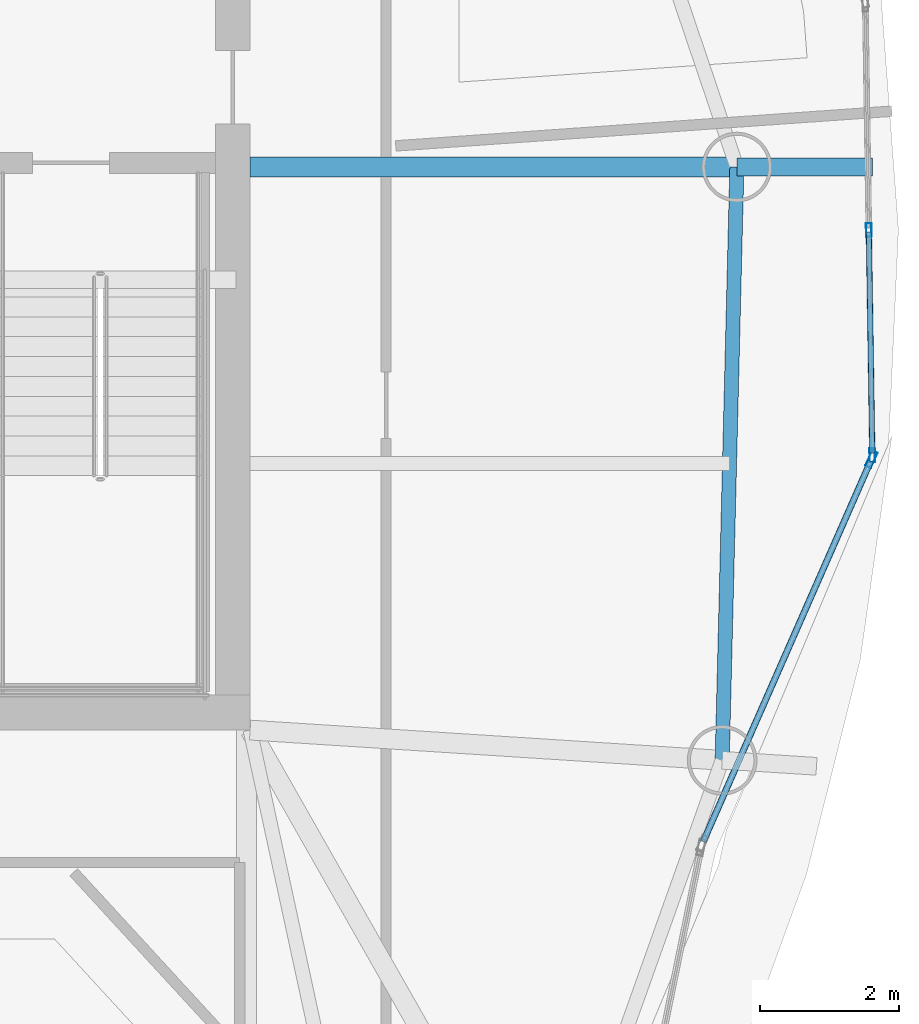
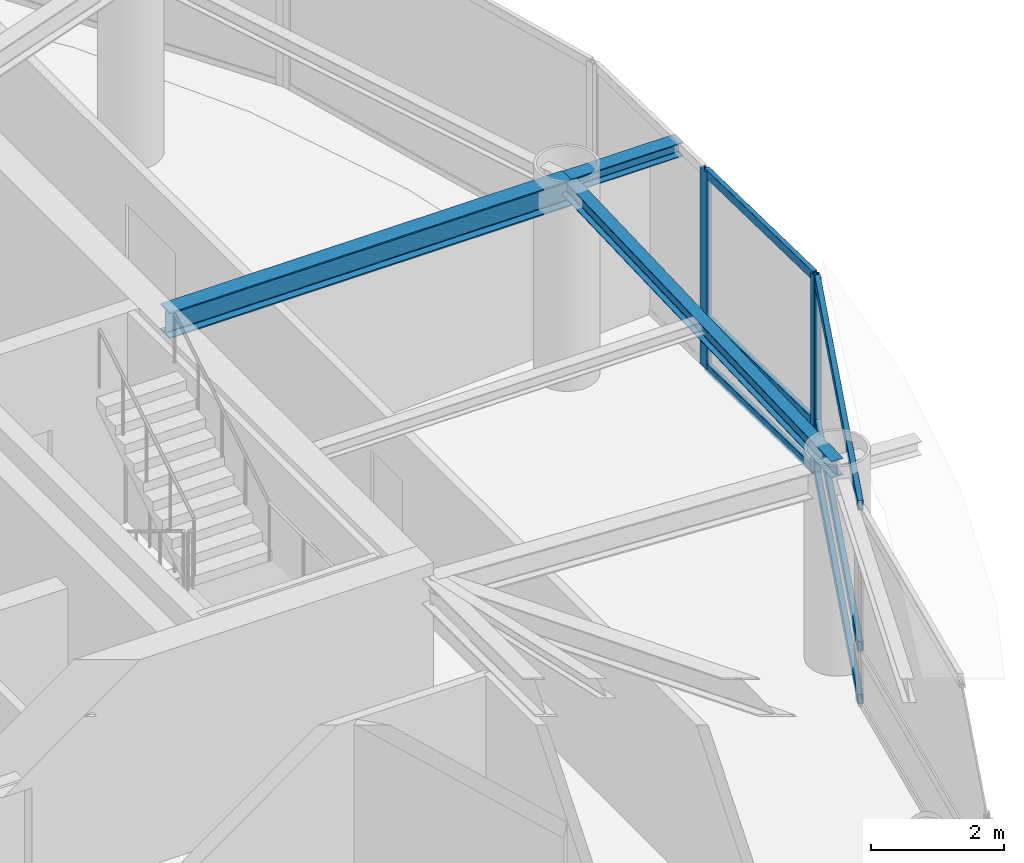
# One storey, part 8 of 19: 9 members, 3 beams, 2 elements without a shape of their own.
"""IFC4 building model written with IfcOpenShell, lengths in metres."""

from ifc_helpers import new_model, si_unit, direction, frame, origin, origin_2d, place, context, subcontext, project, spatial, hollow_rectangle, i_section, extrude, material, layer, layer_set, material_profile, profile_set, type_object, element, aggregate, save


model = new_model("IFC4")

# Units and contexts
model_context = context("Model", 3, precision=1e-05, world=origin(), true_north=direction((0.0, 1.0)))
body_context = subcontext(model_context, "Body", "Model", "MODEL_VIEW")
ifc_project = project(units=[si_unit("LENGTHUNIT", "METRE"), si_unit("AREAUNIT", "SQUARE_METRE"), si_unit("VOLUMEUNIT", "CUBIC_METRE"), si_unit("PLANEANGLEUNIT", "RADIAN"), si_unit("MASSUNIT", "GRAM", prefix="KILO")], contexts=[model_context])

# Site, building, storey
site_placement = place(None, origin())
site = spatial("IfcSite", under=ifc_project, at=site_placement, CompositionType="ELEMENT")
building_placement = place(site_placement, origin())
building = spatial("IfcBuilding", under=site, at=building_placement, Name="Bramvorn Convention Spire", CompositionType="ELEMENT")
storey_placement = place(building_placement, frame((0.0, 0.0, 299.800048828125)))
storey = spatial("IfcBuildingStorey", under=building, at=storey_placement, Name="L76", CompositionType="ELEMENT", Elevation=299.800048828125)

# Beams
ifc_material_1 = material(Name="Steel CSA G40.21 Grade 350 (350W)", Category="steel")
ifc_material_profile_1 = material_profile(ifc_material_1, i_section(OverallWidth=0.25390625, OverallDepth=0.2529296875, WebThickness=0.008544921875, FlangeThickness=0.01416015625, FilletRadius=0.011962890625, at=origin_2d()))
ifc_profile_set_1 = profile_set([ifc_material_profile_1], Name="Steel CSA G40.21 Grade 350 (350W) - W250X73")
beam_type_1 = type_object("IfcBeamType", Name="BM-W250X73", PredefinedType="BEAM", material=ifc_profile_set_1)
beam_1_placement = place(storey_placement, frame((56.234619140625, 26.62939453125, 3.49853515625), z_axis=(1.0, 0.0, 0.0), x_axis=(0.0, 1.0, 0.0)))
element("IfcBeam", 1, at=beam_1_placement, inside=storey, type_object=beam_type_1, Name="L76 slab-edge cantilever tip beam MC04", PredefinedType="BEAM", context=body_context, shape_type="SweptSolid", body=[
    extrude(i_section(OverallWidth=0.25390625, OverallDepth=0.2529296875, WebThickness=0.008544921875, FlangeThickness=0.01416015625, FilletRadius=0.011962890625, at=origin_2d()), origin(), (0.0, 0.0, 1.0), 1.945556640625),
])
ifc_material_profile_2 = material_profile(ifc_material_1, i_section(OverallWidth=0.202880859375, OverallDepth=0.302978515625, WebThickness=0.007568359375, FlangeThickness=0.01318359375, FilletRadius=0.013916015625, at=origin_2d()))
ifc_profile_set_2 = profile_set([ifc_material_profile_2], Name="Steel CSA G40.21 Grade 350 (350W) - W310X60")
beam_type_2 = type_object("IfcBeamType", Name="BM-W310X60", PredefinedType="JOIST", material=ifc_profile_set_2)
beam_2_placement = place(storey_placement, frame((56.023681640625, 18.116455078125, 3.473388671875), z_axis=(0.024770853371, 0.999693155335, 0.0), x_axis=(-0.999693155335, 0.024770853371, 0.0)))
element("IfcBeam", 2, at=beam_2_placement, inside=storey, type_object=beam_type_2, Name="L76 mega-column ring beam 03", PredefinedType="JOIST", context=body_context, shape_type="SweptSolid", body=[
    extrude(i_section(OverallWidth=0.202880859375, OverallDepth=0.302978515625, WebThickness=0.007568359375, FlangeThickness=0.01318359375, FilletRadius=0.013916015625, at=origin_2d()), origin(), (0.0, 0.0, 1.0), 8.515625),
])
ifc_material_profile_3 = material_profile(ifc_material_1, i_section(OverallWidth=0.283935546875, OverallDepth=0.47607421875, WebThickness=0.014892578125, FlangeThickness=0.02392578125, FilletRadius=0.01806640625, at=origin_2d()))
ifc_profile_set_3 = profile_set([ifc_material_profile_3], Name="Steel CSA G40.21 Grade 350 (350W) - W460X158")
beam_type_3 = type_object("IfcBeamType", Name="BM-W460X158", PredefinedType="SPANDREL", material=ifc_profile_set_3)
beam_3_placement = place(storey_placement, frame((49.25, 26.62939453125, 3.386962890625), z_axis=(1.0, 0.0, 0.0), x_axis=(0.0, 1.0, 0.0)))
element("IfcBeam", 3, at=beam_3_placement, inside=storey, type_object=beam_type_3, Name="L76 radial floor girder MC04", PredefinedType="SPANDREL", context=body_context, shape_type="SweptSolid", body=[
    extrude(i_section(OverallWidth=0.283935546875, OverallDepth=0.47607421875, WebThickness=0.014892578125, FlangeThickness=0.02392578125, FilletRadius=0.01806640625, at=origin_2d()), origin(), (0.0, 0.0, 1.0), 6.984619140625),
])

# Curtain wall, members
ifc_material_2 = material(Name="Anodised Bronze Unitised Curtain Wall", Category="aluminium")
ifc_layer_1 = layer(ifc_material_2, 0.179931640625)
ifc_layer_set_1 = layer_set([ifc_layer_1], Name="Anodised Bronze Unitised Curtain Wall - CW-OFF-FRIT")
curtain_wall_type_1 = type_object("IfcCurtainWallType", Name="CW-OFF-FRIT", PredefinedType="USERDEFINED", material=ifc_layer_set_1)
curtain_wall_1_placement = place(storey_placement, origin())
curtain_wall_1 = element("IfcCurtainWall", 4, at=curtain_wall_1_placement, inside=storey, type_object=curtain_wall_type_1, Name="L76 fritted glass curtain wall 05", ObjectType="UNITISED CURTAIN WALL", PredefinedType="USERDEFINED")
ifc_material_3 = material(Name="Anodised Bronze Aluminium 6063-T6", Category="aluminium")
ifc_material_profile_4 = material_profile(ifc_material_3, hollow_rectangle(XDim=0.080078125, YDim=0.199951171875, WallThickness=0.00390625, InnerFilletRadius=0.0009765625, OuterFilletRadius=0.00390625, at=origin_2d()))
ifc_profile_set_4 = profile_set([ifc_material_profile_4], Name="Anodised Bronze Aluminium 6063-T6 - CWM80X200")
member_type_1 = type_object("IfcMemberType", Name="CW-MUL-180", PredefinedType="MULLION", material=ifc_profile_set_4)
member_1_placement = place(storey_placement, frame((58.1279296875, 25.7255859375, 0.0), z_axis=(0.0, 0.0, 1.0), x_axis=(0.999878810724, 0.015568039844, 0.0)))
member_1 = element("IfcMember", 5, at=member_1_placement, type_object=member_type_1, Name="CW3 mullion 2", PredefinedType="MULLION", context=body_context, shape_type="SweptSolid", body=[
    extrude(hollow_rectangle(XDim=0.080078125, YDim=0.199951171875, WallThickness=0.00390625, InnerFilletRadius=0.0009765625, OuterFilletRadius=0.00390625, at=origin_2d()), origin(), (0.0, 0.0, 1.0), 3.625),
])
member_2_placement = place(storey_placement, frame((58.17822265625, 22.492919921875, 0.0), z_axis=(0.0, 0.0, 1.0), x_axis=(0.999878810724, 0.015568039844, 0.0)))
member_2 = element("IfcMember", 6, at=member_2_placement, type_object=member_type_1, Name="CW3 mullion 3", PredefinedType="MULLION", context=body_context, shape_type="SweptSolid", body=[
    extrude(hollow_rectangle(XDim=0.080078125, YDim=0.199951171875, WallThickness=0.00390625, InnerFilletRadius=0.0009765625, OuterFilletRadius=0.00390625, at=origin_2d()), origin(), (0.0, 0.0, 1.0), 3.625),
])

# Curtain wall, member
ifc_layer_2 = layer(ifc_material_2, 0.219970703125)
ifc_layer_set_2 = layer_set([ifc_layer_2], Name="Anodised Bronze Unitised Curtain Wall - CW-SKYGARDEN")
curtain_wall_type_2 = type_object("IfcCurtainWallType", Name="CW-SKYGARDEN", PredefinedType="USERDEFINED", material=ifc_layer_set_2)
curtain_wall_2_placement = place(storey_placement, origin())
curtain_wall_2 = element("IfcCurtainWall", 7, at=curtain_wall_2_placement, inside=storey, type_object=curtain_wall_type_2, Name="L76 Sky Garden glazed facade 04", ObjectType="WINTER GARDEN GLAZING", PredefinedType="USERDEFINED")
ifc_material_profile_5 = material_profile(ifc_material_3, hollow_rectangle(XDim=0.090087890625, YDim=0.239990234375, WallThickness=0.00439453125, InnerFilletRadius=0.0009765625, OuterFilletRadius=0.00439453125, at=origin_2d()))
ifc_profile_set_5 = profile_set([ifc_material_profile_5], Name="Anodised Bronze Aluminium 6063-T6 - CWM90X240")
member_type_2 = type_object("IfcMemberType", Name="CW-MUL-220", PredefinedType="MULLION", material=ifc_profile_set_5)
member_3_placement = place(storey_placement, frame((58.16650390625, 22.435546875, 0.0), z_axis=(0.0, 0.0, 1.0), x_axis=(0.915268486998, -0.402844382744, 0.0)))
member_3 = element("IfcMember", 8, at=member_3_placement, type_object=member_type_2, Name="CW4 mullion 1", PredefinedType="MULLION", context=body_context, shape_type="SweptSolid", body=[
    extrude(hollow_rectangle(XDim=0.090087890625, YDim=0.239990234375, WallThickness=0.00439453125, InnerFilletRadius=0.0009765625, OuterFilletRadius=0.00439453125, at=origin_2d()), origin(), (0.0, 0.0, 1.0), 3.625),
])

# Member
ifc_material_profile_6 = material_profile(ifc_material_3, hollow_rectangle(XDim=0.080078125, YDim=0.159912109375, WallThickness=0.00390625, InnerFilletRadius=0.0009765625, OuterFilletRadius=0.00390625, at=origin_2d()))
ifc_profile_set_6 = profile_set([ifc_material_profile_6], Name="Anodised Bronze Aluminium 6063-T6 - CWT80X160")
member_type_3 = type_object("IfcMemberType", Name="CW-TRN-150", PredefinedType="USERDEFINED", material=ifc_profile_set_6)
member_4_placement = place(storey_placement, frame((58.12841796875, 25.695556640625, 0.030029296875), z_axis=(0.015542562511, -0.99987920708, 0.0), x_axis=(0.99987920708, 0.015542562511, 0.0)))
member_4 = element("IfcMember", 9, at=member_4_placement, type_object=member_type_3, Name="CW3 transom 2.1", ObjectType="TRANSOM", PredefinedType="USERDEFINED", context=body_context, shape_type="SweptSolid", body=[
    extrude(hollow_rectangle(XDim=0.080078125, YDim=0.159912109375, WallThickness=0.00390625, InnerFilletRadius=0.0009765625, OuterFilletRadius=0.00390625, at=origin_2d()), origin(), (0.0, 0.0, 1.0), 3.173095703125),
])

member_5_placement = place(storey_placement, frame((58.12841796875, 25.695556640625, 0.89990234375), z_axis=(0.015542562511, -0.99987920708, 0.0), x_axis=(0.99987920708, 0.015542562511, 0.0)))
member_5 = element("IfcMember", 10, at=member_5_placement, type_object=member_type_3, Name="CW3 transom 2.2", ObjectType="TRANSOM", PredefinedType="USERDEFINED", context=body_context, shape_type="SweptSolid", body=[
    extrude(hollow_rectangle(XDim=0.080078125, YDim=0.159912109375, WallThickness=0.00390625, InnerFilletRadius=0.0009765625, OuterFilletRadius=0.00390625, at=origin_2d()), origin(), (0.0, 0.0, 1.0), 3.173095703125),
])

member_6_placement = place(storey_placement, frame((58.12841796875, 25.695556640625, 3.594970703125), z_axis=(0.015542562511, -0.99987920708, 0.0), x_axis=(0.99987920708, 0.015542562511, 0.0)))
member_6 = element("IfcMember", 11, at=member_6_placement, type_object=member_type_3, Name="CW3 transom 2.3", ObjectType="TRANSOM", PredefinedType="USERDEFINED", context=body_context, shape_type="SweptSolid", body=[
    extrude(hollow_rectangle(XDim=0.080078125, YDim=0.159912109375, WallThickness=0.00390625, InnerFilletRadius=0.0009765625, OuterFilletRadius=0.00390625, at=origin_2d()), origin(), (0.0, 0.0, 1.0), 3.173095703125),
])

aggregate(curtain_wall_1, [member_1, member_2, member_4, member_5, member_6])

ifc_material_profile_7 = material_profile(ifc_material_3, hollow_rectangle(XDim=0.090087890625, YDim=0.179931640625, WallThickness=0.00439453125, InnerFilletRadius=0.0009765625, OuterFilletRadius=0.00439453125, at=origin_2d()))
ifc_profile_set_7 = profile_set([ifc_material_profile_7], Name="Anodised Bronze Aluminium 6063-T6 - CWT90X180")
member_type_4 = type_object("IfcMemberType", Name="CW-TRN-180", PredefinedType="USERDEFINED", material=ifc_profile_set_7)
member_7_placement = place(storey_placement, frame((58.154541015625, 22.407958984375, 0.030029296875), z_axis=(-0.402853858941, -0.915264316106, 0.0), x_axis=(0.915264316106, -0.402853858941, 0.0)))
member_7 = element("IfcMember", 12, at=member_7_placement, type_object=member_type_4, Name="CW4 transom 1.1", ObjectType="TRANSOM", PredefinedType="USERDEFINED", context=body_context, shape_type="SweptSolid", body=[
    extrude(hollow_rectangle(XDim=0.090087890625, YDim=0.179931640625, WallThickness=0.00439453125, InnerFilletRadius=0.0009765625, OuterFilletRadius=0.00439453125, at=origin_2d()), origin(), (0.0, 0.0, 1.0), 5.96337890625),
])

member_8_placement = place(storey_placement, frame((58.154541015625, 22.407958984375, 1.0), z_axis=(-0.402853858941, -0.915264316106, 0.0), x_axis=(0.915264316106, -0.402853858941, 0.0)))
member_8 = element("IfcMember", 13, at=member_8_placement, type_object=member_type_4, Name="CW4 transom 1.2", ObjectType="TRANSOM", PredefinedType="USERDEFINED", context=body_context, shape_type="SweptSolid", body=[
    extrude(hollow_rectangle(XDim=0.090087890625, YDim=0.179931640625, WallThickness=0.00439453125, InnerFilletRadius=0.0009765625, OuterFilletRadius=0.00439453125, at=origin_2d()), origin(), (0.0, 0.0, 1.0), 5.96337890625),
])

member_9_placement = place(storey_placement, frame((58.154541015625, 22.407958984375, 3.594970703125), z_axis=(-0.402853858941, -0.915264316106, 0.0), x_axis=(0.915264316106, -0.402853858941, 0.0)))
member_9 = element("IfcMember", 14, at=member_9_placement, type_object=member_type_4, Name="CW4 transom 1.3", ObjectType="TRANSOM", PredefinedType="USERDEFINED", context=body_context, shape_type="SweptSolid", body=[
    extrude(hollow_rectangle(XDim=0.090087890625, YDim=0.179931640625, WallThickness=0.00439453125, InnerFilletRadius=0.0009765625, OuterFilletRadius=0.00439453125, at=origin_2d()), origin(), (0.0, 0.0, 1.0), 5.96337890625),
])

aggregate(curtain_wall_2, [member_3, member_7, member_8, member_9])

save(model, "model.ifc")
